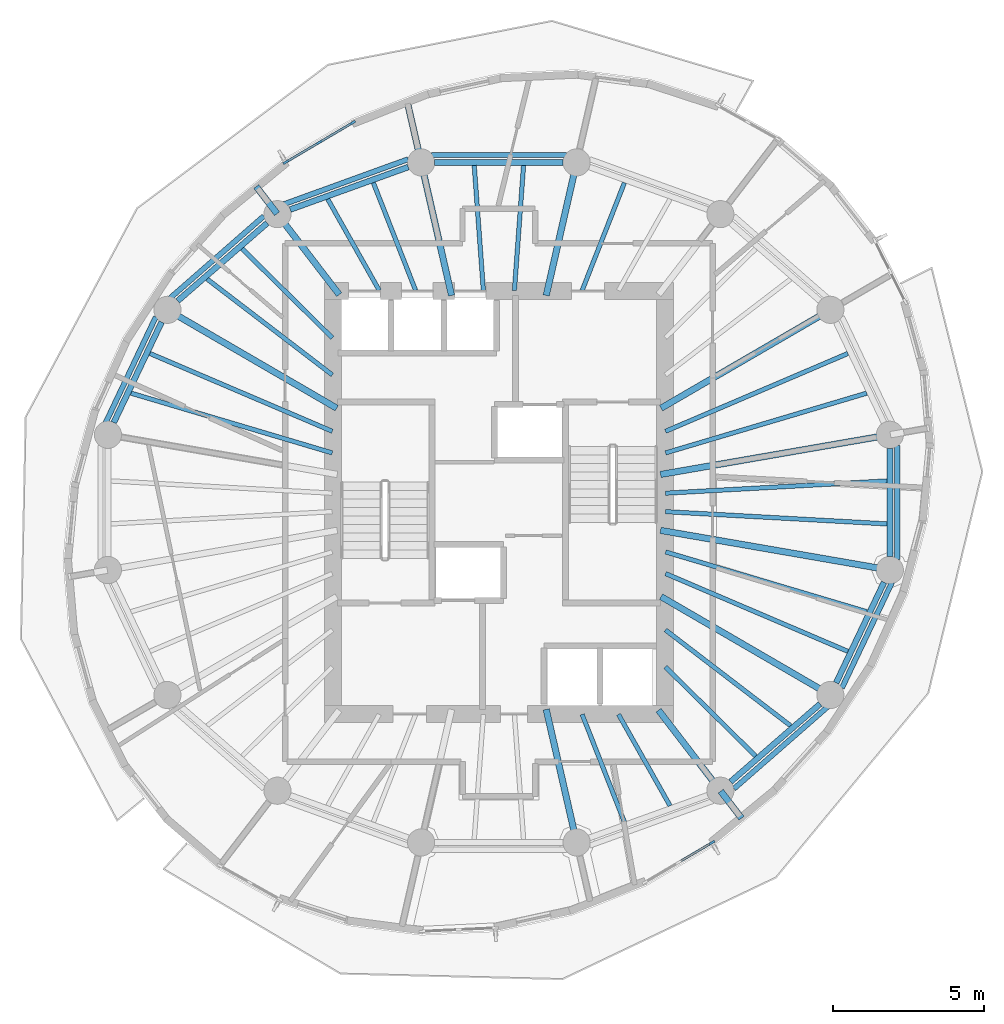
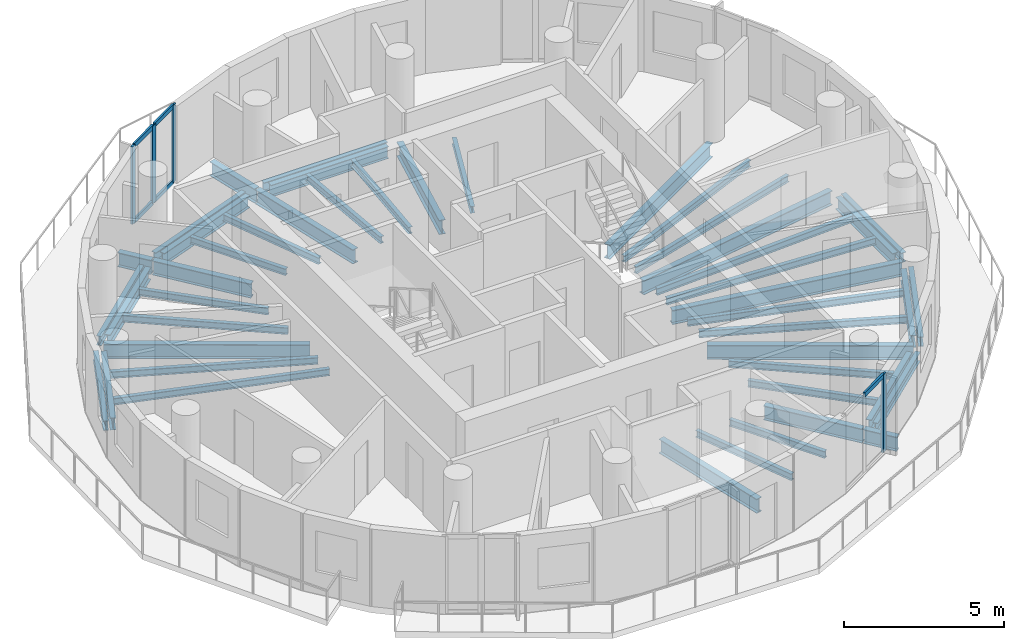
# One storey, part 2 of 10: 46 beams, 9 members, 2 elements without a shape of their own.
"""IFC4 building model written with IfcOpenShell, lengths in metres."""

import ifcopenshell
import ifcopenshell.guid

model = None  # the IFC model being written
_history = None  # IfcOwnerHistory: only IFC2X3 demands one
_inside = {}  # id of a spatial element -> (the spatial element, [elements in it])
_under = {}  # id of a project, library or spatial element -> (it, [spatial elements below it])
_declared = {}  # id of a project -> (the project, [libraries it declares])
_typed = {}  # id of a type object -> (the type object, [elements of that type])
_made_of = {}  # id of a material, layer set ... -> (it, [elements and type objects made of it])


def new_model(schema):
    """Start an empty IFC model of exactly this schema.

    Asked for "IFC4X3", IfcOpenShell would pick the latest addendum, in which some entities
    have other attributes; the version numbers below select the first issue.
    IFC2X3 requires an IfcOwnerHistory on every rooted entity: one is made here for all.
    """
    global model, _history
    if schema == "IFC4X3":
        model = ifcopenshell.file(schema_version=(4, 3, 0, 0))
    else:
        model = ifcopenshell.file(schema=schema)
    _inside.clear()
    _under.clear()
    _declared.clear()
    _typed.clear()
    _made_of.clear()
    _history = None
    if model.schema == "IFC2X3":
        org = make("IfcOrganization", Name="unknown")
        user = make(
            "IfcPersonAndOrganization",
            ThePerson=make("IfcPerson", FamilyName="unknown"),
            TheOrganization=org,
        )
        app = make(
            "IfcApplication",
            ApplicationDeveloper=org,
            Version="unknown",
            ApplicationFullName="unknown",
            ApplicationIdentifier="unknown",
        )
        _history = make(
            "IfcOwnerHistory",
            OwningUser=user,
            OwningApplication=app,
            ChangeAction="ADDED",
            CreationDate=0,
        )
    return model


def make(cls, **values):
    """One entity of the class cls with the attributes given. An attribute that is None is left unset."""
    return model.create_entity(
        cls, **{name: value for name, value in values.items() if value is not None}
    )


def rooted(cls, **values):
    """An entity with a GlobalId (a new one), such as an element, a storey or a relation."""
    return make(cls, GlobalId=ifcopenshell.guid.new(), OwnerHistory=_history, **values)


def si_unit(unit_type, name, prefix=None):
    """IfcSIUnit, for example si_unit("LENGTHUNIT", "METRE", prefix="MILLI")."""
    return make("IfcSIUnit", UnitType=unit_type, Prefix=prefix, Name=name)


def assignment(units):
    """IfcUnitAssignment: the units of a project."""
    return None if units is None else make("IfcUnitAssignment", Units=units)


def point(xyz):
    """IfcCartesianPoint."""
    return None if xyz is None else make("IfcCartesianPoint", Coordinates=xyz)


def direction(xyz):
    """IfcDirection."""
    return None if xyz is None else make("IfcDirection", DirectionRatios=xyz)


def frame(location, z_axis=None, x_axis=None):
    """IfcAxis2Placement3D, a coordinate frame: its origin and axes. An axis left out is left unset."""
    return make(
        "IfcAxis2Placement3D",
        Location=point(location),
        Axis=direction(z_axis),
        RefDirection=direction(x_axis),
    )


def frame_2d(location, x_axis=None):
    """IfcAxis2Placement2D, a coordinate frame in the plane: its origin and x axis."""
    return make(
        "IfcAxis2Placement2D", Location=point(location), RefDirection=direction(x_axis)
    )


def origin():
    """The frame at (0, 0, 0) with its axes left unset."""
    return frame((0.0, 0.0, 0.0))


def origin_2d():
    """The frame at (0, 0) in the plane with its x axis left unset."""
    return frame_2d((0.0, 0.0))


def place(relative_to, where):
    """IfcLocalPlacement: puts the frame where relative to a parent placement (None: the world)."""
    return make(
        "IfcLocalPlacement", PlacementRelTo=relative_to, RelativePlacement=where
    )


def context(
    kind, dimensions, precision=None, world=None, true_north=None, identifier=None
):
    """IfcGeometricRepresentationContext, for example the 3D "Model" context."""
    return make(
        "IfcGeometricRepresentationContext",
        ContextIdentifier=identifier,
        ContextType=kind,
        CoordinateSpaceDimension=dimensions,
        Precision=precision,
        WorldCoordinateSystem=world,
        TrueNorth=true_north,
    )


def subcontext(parent, identifier, kind, view, scale=None):
    """IfcGeometricRepresentationSubContext, for example "Body" below "Model"."""
    return make(
        "IfcGeometricRepresentationSubContext",
        ContextIdentifier=identifier,
        ContextType=kind,
        ParentContext=parent,
        TargetScale=scale,
        TargetView=view,
    )


def project(units=None, contexts=None):
    """IfcProject with its units and contexts."""
    return rooted(
        "IfcProject",
        Name="project",
        RepresentationContexts=contexts,
        UnitsInContext=assignment(units),
    )


def spatial(cls, under=None, at=None, **own):
    """A site, building, storey or space (cls), placed at a placement, below another one or the project."""
    s = rooted(cls, ObjectPlacement=at, **own)
    if under is not None:
        _under.setdefault(under.id(), (under, []))[1].append(s)
    return s


def profile(cls, at=None, kind="AREA", **sizes):
    """A parametric profile (cls). Its sizes go by their IFC names, for example OverallWidth=200.0."""
    return make(cls, ProfileType=kind, Position=at, **sizes)


def rectangle(**sizes):
    """IfcRectangleProfileDef."""
    return profile("IfcRectangleProfileDef", **sizes)


def i_section(**sizes):
    """IfcIShapeProfileDef."""
    return profile("IfcIShapeProfileDef", **sizes)


def extrude(swept, where, along, depth):
    """IfcExtrudedAreaSolid: the profile swept, set in the frame where, extruded along a direction by depth."""
    return make(
        "IfcExtrudedAreaSolid",
        SweptArea=swept,
        Position=where,
        ExtrudedDirection=direction(along),
        Depth=depth,
    )


def shape(context_of_items, identifier, shape_type, items):
    """IfcShapeRepresentation: the items that make up one representation, for example the "Body"."""
    return make(
        "IfcShapeRepresentation",
        ContextOfItems=context_of_items,
        RepresentationIdentifier=identifier,
        RepresentationType=shape_type,
        Items=items,
    )


def material(Name=None, Category=None):
    """IfcMaterial."""
    return make("IfcMaterial", Name=Name, Category=Category)


def material_profile(
    of_material, cross_section, Name=None, Category=None, Priority=None
):
    """IfcMaterialProfile: a cross section and its material."""
    return make(
        "IfcMaterialProfile",
        Name=Name,
        Material=of_material,
        Profile=cross_section,
        Priority=Priority,
        Category=Category,
    )


def profile_set(profiles, Name=None, composite=None):
    """IfcMaterialProfileSet."""
    return make(
        "IfcMaterialProfileSet",
        Name=Name,
        MaterialProfiles=profiles,
        CompositeProfile=composite,
    )


def made_of(thing, what):
    """Note that an element or type object is made of a material, layer set ...; save() writes the relation."""
    if what is not None:
        _made_of.setdefault(what.id(), (what, []))[1].append(thing)
    return thing


def type_object(cls, material=None, **own):
    """A type object (cls), such as IfcWallType, which elements share."""
    return made_of(rooted(cls, **own), material)


def element(
    cls,
    number,
    at=None,
    inside=None,
    cuts=None,
    type_object=None,
    material=None,
    context=None,
    identifier="Body",
    shape_type=None,
    held_by="IfcProductDefinitionShape",
    body=None,
    shapes=None,
    **own,
):
    """One element of the class cls, such as IfcWall. Its Tag is "e" and its number.

    at: its placement. inside: the storey or other place that contains it. cuts: it is an
    opening in that element (IfcRelVoidsElement). A single representation is given by context,
    identifier, shape_type and body (its items); several are given by shapes. held_by: the class
    of the entity that holds the representations. save() writes the other relations.
    """
    e = rooted(cls, Tag="e%d" % number, ObjectPlacement=at, **own)
    if body is not None:
        shapes = [shape(context, identifier, shape_type, body)]
    if shapes is not None:
        e.Representation = make(held_by, Representations=shapes)
    if inside is not None:
        _inside.setdefault(inside.id(), (inside, []))[1].append(e)
    if cuts is not None:
        rooted(
            "IfcRelVoidsElement", RelatingBuildingElement=cuts, RelatedOpeningElement=e
        )
    if type_object is not None:
        _typed.setdefault(type_object.id(), (type_object, []))[1].append(e)
    return made_of(e, material)


def aggregate(whole, parts):
    """IfcRelAggregates: a whole, such as a stair, and the parts it consists of."""
    return rooted("IfcRelAggregates", RelatingObject=whole, RelatedObjects=parts)


def save(model, path):
    """Write the relations noted so far, then the file.

    IfcRelAggregates (storeys below a building ...), IfcRelContainedInSpatialStructure (elements
    in a storey), IfcRelDefinesByType, IfcRelAssociatesMaterial and IfcRelDeclares: one each for
    every whole, place, type object, material and project.
    """
    for whole, parts in _under.values():
        aggregate(whole, parts)
    for where, things in _inside.values():
        rooted(
            "IfcRelContainedInSpatialStructure",
            RelatedElements=things,
            RelatingStructure=where,
        )
    for kind, things in _typed.values():
        rooted("IfcRelDefinesByType", RelatedObjects=things, RelatingType=kind)
    for what, things in _made_of.values():
        rooted("IfcRelAssociatesMaterial", RelatedObjects=things, RelatingMaterial=what)
    for by, libraries in _declared.values():
        rooted("IfcRelDeclares", RelatingContext=by, RelatedDefinitions=libraries)
    model.write(path)


model = new_model("IFC4")

# Units and contexts
model_context = context("Model", 3, precision=1e-05, world=origin(), true_north=direction((0.0, 1.0)))
body_context = subcontext(model_context, "Body", "Model", "MODEL_VIEW")
ifc_project = project(units=[si_unit("LENGTHUNIT", "METRE"), si_unit("AREAUNIT", "SQUARE_METRE"), si_unit("VOLUMEUNIT", "CUBIC_METRE"), si_unit("PLANEANGLEUNIT", "RADIAN"), si_unit("MASSUNIT", "GRAM", prefix="KILO")], contexts=[model_context])

# Site, building, storey
site_placement = place(None, origin())
site = spatial("IfcSite", under=ifc_project, at=site_placement, CompositionType="ELEMENT")
building_placement = place(site_placement, origin())
building = spatial("IfcBuilding", under=site, at=building_placement, Name="Veldorim Arch Residences", CompositionType="ELEMENT")
storey_placement = place(building_placement, frame((0.0, 0.0, 179.0400390625)))
storey = spatial("IfcBuildingStorey", under=building, at=storey_placement, Name="L53", CompositionType="ELEMENT", Elevation=179.0400390625)

# Beams
ifc_material_1 = material(Name="Steel S355", Category="steel")
ifc_material_profile_1 = material_profile(ifc_material_1, i_section(OverallWidth=0.2119140625, OverallDepth=0.54443359375, WebThickness=0.0126953125, FlangeThickness=0.021240234375, at=origin_2d()), Name="UB533x210x122")
ifc_profile_set_1 = profile_set([ifc_material_profile_1], Name="Steel S355")
beam_type_1 = type_object("IfcBeamType", Name="Structural Steel Beam UB533x210x122", PredefinedType="BEAM", material=ifc_profile_set_1)
beam_1_placement = place(storey_placement, frame((37.352294921875, 24.92578125, -0.512451171875), z_axis=(0.985364974081, 0.170457818401, 0.0), x_axis=(-0.170457818401, 0.985364974081, 0.0)))
element("IfcBeam", 1, at=beam_1_placement, inside=storey, type_object=beam_type_1, Name="L53 radial floor girder 01", PredefinedType="BEAM", context=body_context, shape_type="SweptSolid", body=[
    extrude(i_section(OverallWidth=0.2119140625, OverallDepth=0.54443359375, WebThickness=0.0126953125, FlangeThickness=0.021240234375, at=origin_2d()), origin(), (0.0, 0.0, 1.0), 7.68701171875),
])
beam_2_placement = place(storey_placement, frame((37.370361328125, 27.12060546875, -0.512451171875), z_axis=(0.864595736304, 0.502468121142, 0.0), x_axis=(-0.502468121142, 0.864595736304, 0.0)))
element("IfcBeam", 2, at=beam_2_placement, inside=storey, type_object=beam_type_1, Name="L53 radial floor girder 02", PredefinedType="BEAM", context=body_context, shape_type="SweptSolid", body=[
    extrude(i_section(OverallWidth=0.2119140625, OverallDepth=0.54443359375, WebThickness=0.0126953125, FlangeThickness=0.021240234375, at=origin_2d()), origin(), (0.0, 0.0, 1.0), 6.462646484375),
])
for number, where, z_axis, x_axis, name in (
    (3, (33.567626953125, 30.853759765625, -0.512451171875), (0.222952976993, 0.97482920045, 0.0), (-0.97482920045, 0.222952976993, 0.0), "L53 radial floor girder 04"),
    (4, (30.432373046875, 30.853759765625, -0.512451171875), (-0.222952976993, 0.97482920045, 0.0), (-0.97482920045, -0.222952976993, 0.0), "L53 radial floor girder 05"),
):
    element("IfcBeam", number, at=place(storey_placement, frame(where, z_axis=z_axis, x_axis=x_axis)), inside=storey, type_object=beam_type_1, Name=name, PredefinedType="BEAM", context=body_context, shape_type="SweptSolid", body=[
        extrude(i_section(OverallWidth=0.2119140625, OverallDepth=0.54443359375, WebThickness=0.0126953125, FlangeThickness=0.021240234375, at=origin_2d()), origin(), (0.0, 0.0, 1.0), 4.49951171875),
    ])
beam_3_placement = place(storey_placement, frame((29.42041015625, 35.27880859375, -0.512451171875), z_axis=(-0.222995587315, 0.974819454073, 0.0), x_axis=(-0.974819454073, -0.222995587315, 0.0)))
element("IfcBeam", 5, at=beam_3_placement, inside=storey, type_object=beam_type_1, Name="L53 radial edge cantilever girder 05", PredefinedType="BEAM", context=body_context, shape_type="SweptSolid", body=[
    extrude(i_section(OverallWidth=0.2119140625, OverallDepth=0.54443359375, WebThickness=0.0126953125, FlangeThickness=0.021240234375, at=origin_2d()), origin(), (0.0, 0.0, 1.0), 2.05712890625),
])
beam_4_placement = place(storey_placement, frame((26.71337890625, 30.881103515625, -0.512451171875), z_axis=(-0.609258442308, 0.792971721108, 0.0), x_axis=(-0.792971721108, -0.609258442308, 0.0)))
element("IfcBeam", 6, at=beam_4_placement, inside=storey, type_object=beam_type_1, Name="L53 radial floor girder 06", PredefinedType="BEAM", context=body_context, shape_type="SweptSolid", body=[
    extrude(i_section(OverallWidth=0.2119140625, OverallDepth=0.54443359375, WebThickness=0.0126953125, FlangeThickness=0.021240234375, at=origin_2d()), origin(), (0.0, 0.0, 1.0), 3.339599609375),
])
beam_5_placement = place(storey_placement, frame((24.654296875, 33.561279296875, -0.512451171875), z_axis=(-0.609251583835, 0.792976990583, 0.0), x_axis=(-0.792976990583, -0.609251583835, 0.0)))
element("IfcBeam", 7, at=beam_5_placement, inside=storey, type_object=beam_type_1, Name="L53 radial edge cantilever girder 06", PredefinedType="BEAM", context=body_context, shape_type="SweptSolid", body=[
    extrude(i_section(OverallWidth=0.2119140625, OverallDepth=0.54443359375, WebThickness=0.0126953125, FlangeThickness=0.021240234375, at=origin_2d()), origin(), (0.0, 0.0, 1.0), 1.130859375),
])
beam_6_placement = place(storey_placement, frame((26.629638671875, 27.12060546875, -0.512451171875), z_axis=(-0.864595736304, 0.502468121142, 0.0), x_axis=(-0.502468121142, -0.864595736304, 0.0)))
element("IfcBeam", 8, at=beam_6_placement, inside=storey, type_object=beam_type_1, Name="L53 radial floor girder 07", PredefinedType="BEAM", context=body_context, shape_type="SweptSolid", body=[
    extrude(i_section(OverallWidth=0.2119140625, OverallDepth=0.54443359375, WebThickness=0.0126953125, FlangeThickness=0.021240234375, at=origin_2d()), origin(), (0.0, 0.0, 1.0), 6.462646484375),
])
beam_7_placement = place(storey_placement, frame((33.567626953125, 17.146240234375, -0.512451171875), z_axis=(0.222952976993, -0.97482920045, 0.0), x_axis=(0.97482920045, 0.222952976993, 0.0)))
element("IfcBeam", 9, at=beam_7_placement, inside=storey, type_object=beam_type_1, Name="L53 radial floor girder 13", PredefinedType="BEAM", context=body_context, shape_type="SweptSolid", body=[
    extrude(i_section(OverallWidth=0.2119140625, OverallDepth=0.54443359375, WebThickness=0.0126953125, FlangeThickness=0.021240234375, at=origin_2d()), origin(), (0.0, 0.0, 1.0), 4.49951171875),
])
beam_8_placement = place(storey_placement, frame((37.28662109375, 17.118896484375, -0.512451171875), z_axis=(0.609258442308, -0.792971721108, 0.0), x_axis=(0.792971721108, 0.609258442308, 0.0)))
element("IfcBeam", 10, at=beam_8_placement, inside=storey, type_object=beam_type_1, Name="L53 radial floor girder 14", PredefinedType="BEAM", context=body_context, shape_type="SweptSolid", body=[
    extrude(i_section(OverallWidth=0.2119140625, OverallDepth=0.54443359375, WebThickness=0.0126953125, FlangeThickness=0.021240234375, at=origin_2d()), origin(), (0.0, 0.0, 1.0), 3.339599609375),
])
beam_9_placement = place(storey_placement, frame((39.345703125, 14.438720703125, -0.512451171875), z_axis=(0.609251583835, -0.792976990583, 0.0), x_axis=(0.792976990583, 0.609251583835, 0.0)))
element("IfcBeam", 11, at=beam_9_placement, inside=storey, type_object=beam_type_1, Name="L53 radial edge cantilever girder 14", PredefinedType="BEAM", context=body_context, shape_type="SweptSolid", body=[
    extrude(i_section(OverallWidth=0.2119140625, OverallDepth=0.54443359375, WebThickness=0.0126953125, FlangeThickness=0.021240234375, at=origin_2d()), origin(), (0.0, 0.0, 1.0), 1.130859375),
])
beam_10_placement = place(storey_placement, frame((37.370361328125, 20.87939453125, -0.512451171875), z_axis=(0.864595736304, -0.502468121142, 0.0), x_axis=(0.502468121142, 0.864595736304, 0.0)))
element("IfcBeam", 12, at=beam_10_placement, inside=storey, type_object=beam_type_1, Name="L53 radial floor girder 15", PredefinedType="BEAM", context=body_context, shape_type="SweptSolid", body=[
    extrude(i_section(OverallWidth=0.2119140625, OverallDepth=0.54443359375, WebThickness=0.0126953125, FlangeThickness=0.021240234375, at=origin_2d()), origin(), (0.0, 0.0, 1.0), 6.462646484375),
])
beam_11_placement = place(storey_placement, frame((37.352294921875, 23.07421875, -0.512451171875), z_axis=(0.985364974081, -0.170457818401, 0.0), x_axis=(0.170457818401, 0.985364974081, 0.0)))
element("IfcBeam", 13, at=beam_11_placement, inside=storey, type_object=beam_type_1, Name="L53 radial floor girder 16", PredefinedType="BEAM", context=body_context, shape_type="SweptSolid", body=[
    extrude(i_section(OverallWidth=0.2119140625, OverallDepth=0.54443359375, WebThickness=0.0126953125, FlangeThickness=0.021240234375, at=origin_2d()), origin(), (0.0, 0.0, 1.0), 7.68701171875),
])
ifc_material_2 = material(Name="Steel S355", Category="steel")
ifc_material_profile_2 = material_profile(ifc_material_2, i_section(OverallWidth=0.146484375, OverallDepth=0.256103515625, WebThickness=0.00634765625, FlangeThickness=0.010986328125, at=origin_2d()), Name="UB254x146x37")
ifc_profile_set_2 = profile_set([ifc_material_profile_2], Name="Steel S355")
beam_type_2 = type_object("IfcBeamType", Name="Structural Steel Joist UB254x146x37", PredefinedType="JOIST", material=ifc_profile_set_2)
beam_12_placement = place(storey_placement, frame((37.519287109375, 25.639404296875, -0.367919921875), z_axis=(0.958594432792, 0.284774846889, 0.0), x_axis=(-0.284774846889, 0.958594432792, 0.0)))
element("IfcBeam", 14, at=beam_12_placement, inside=storey, type_object=beam_type_2, Name="L53 secondary radial floor joist 01-1", PredefinedType="JOIST", context=body_context, shape_type="SweptSolid", body=[
    extrude(i_section(OverallWidth=0.146484375, OverallDepth=0.256103515625, WebThickness=0.00634765625, FlangeThickness=0.010986328125, at=origin_2d()), origin(), (0.0, 0.0, 1.0), 6.949462890625),
])
beam_13_placement = place(storey_placement, frame((37.518310546875, 26.355712890625, -0.367919921875), z_axis=(0.919725161652, 0.392562895629, 0.0), x_axis=(-0.392562895629, 0.919725161652, 0.0)))
element("IfcBeam", 15, at=beam_13_placement, inside=storey, type_object=beam_type_2, Name="L53 secondary radial floor joist 01-2", PredefinedType="JOIST", context=body_context, shape_type="SweptSolid", body=[
    extrude(i_section(OverallWidth=0.146484375, OverallDepth=0.256103515625, WebThickness=0.00634765625, FlangeThickness=0.010986328125, at=origin_2d()), origin(), (0.0, 0.0, 1.0), 6.5625),
])
beam_14_placement = place(storey_placement, frame((34.75634765625, 31.0185546875, -0.367919921875), z_axis=(0.365581383042, 0.930779379001, 0.0), x_axis=(-0.930779379001, 0.365581383042, 0.0)))
element("IfcBeam", 16, at=beam_14_placement, inside=storey, type_object=beam_type_2, Name="L53 secondary radial floor joist 03-2", PredefinedType="JOIST", context=body_context, shape_type="SweptSolid", body=[
    extrude(i_section(OverallWidth=0.146484375, OverallDepth=0.256103515625, WebThickness=0.00634765625, FlangeThickness=0.010986328125, at=origin_2d()), origin(), (0.0, 0.0, 1.0), 3.83056640625),
])
for number, where, z_axis, x_axis, name in (
    (17, (32.513916015625, 31.02001953125, -0.367919921875), (0.072985625899, 0.997332992742, 0.0), (-0.997332992742, 0.072985625899, 0.0), "L53 secondary radial floor joist 04-1"),
    (18, (31.486083984375, 31.02001953125, -0.367919921875), (-0.072985625899, 0.997332992742, 0.0), (-0.997332992742, -0.072985625899, 0.0), "L53 secondary radial floor joist 04-2"),
):
    element("IfcBeam", number, at=place(storey_placement, frame(where, z_axis=z_axis, x_axis=x_axis)), inside=storey, type_object=beam_type_2, Name=name, PredefinedType="JOIST", context=body_context, shape_type="SweptSolid", body=[
        extrude(i_section(OverallWidth=0.146484375, OverallDepth=0.256103515625, WebThickness=0.00634765625, FlangeThickness=0.010986328125, at=origin_2d()), origin(), (0.0, 0.0, 1.0), 4.151123046875),
    ])
beam_15_placement = place(storey_placement, frame((29.24365234375, 31.0185546875, -0.367919921875), z_axis=(-0.365581383042, 0.930779379001, 0.0), x_axis=(-0.930779379001, -0.365581383042, 0.0)))
element("IfcBeam", 19, at=beam_15_placement, inside=storey, type_object=beam_type_2, Name="L53 secondary radial floor joist 05-1", PredefinedType="JOIST", context=body_context, shape_type="SweptSolid", body=[
    extrude(i_section(OverallWidth=0.146484375, OverallDepth=0.256103515625, WebThickness=0.00634765625, FlangeThickness=0.010986328125, at=origin_2d()), origin(), (0.0, 0.0, 1.0), 3.83056640625),
])
beam_16_placement = place(storey_placement, frame((28.039794921875, 31.017333984375, -0.367919921875), z_axis=(-0.491452469585, 0.870904397818, 0.0), x_axis=(-0.870904397818, -0.491452469585, 0.0)))
element("IfcBeam", 20, at=beam_16_placement, inside=storey, type_object=beam_type_2, Name="L53 secondary radial floor joist 05-2", PredefinedType="JOIST", context=body_context, shape_type="SweptSolid", body=[
    extrude(i_section(OverallWidth=0.146484375, OverallDepth=0.256103515625, WebThickness=0.00634765625, FlangeThickness=0.010986328125, at=origin_2d()), origin(), (0.0, 0.0, 1.0), 3.472412109375),
])
beam_17_placement = place(storey_placement, frame((26.48583984375, 29.44775390625, -0.367919921875), z_axis=(-0.711396725432, 0.702790650937, 0.0), x_axis=(-0.702790650937, -0.711396725432, 0.0)))
element("IfcBeam", 21, at=beam_17_placement, inside=storey, type_object=beam_type_2, Name="L53 secondary radial floor joist 06-1", PredefinedType="JOIST", context=body_context, shape_type="SweptSolid", body=[
    extrude(i_section(OverallWidth=0.146484375, OverallDepth=0.256103515625, WebThickness=0.00634765625, FlangeThickness=0.010986328125, at=origin_2d()), origin(), (0.0, 0.0, 1.0), 4.198486328125),
])
beam_18_placement = place(storey_placement, frame((26.484130859375, 28.222900390625, -0.367919921875), z_axis=(-0.794013672216, 0.607899899929, 0.0), x_axis=(-0.607899899929, -0.794013672216, 0.0)))
element("IfcBeam", 22, at=beam_18_placement, inside=storey, type_object=beam_type_2, Name="L53 secondary radial floor joist 06-2", PredefinedType="JOIST", context=body_context, shape_type="SweptSolid", body=[
    extrude(i_section(OverallWidth=0.146484375, OverallDepth=0.256103515625, WebThickness=0.00634765625, FlangeThickness=0.010986328125, at=origin_2d()), origin(), (0.0, 0.0, 1.0), 5.217041015625),
])
beam_19_placement = place(storey_placement, frame((26.481689453125, 26.355712890625, -0.367919921875), z_axis=(-0.919725161652, 0.392562895629, 0.0), x_axis=(-0.392562895629, -0.919725161652, 0.0)))
element("IfcBeam", 23, at=beam_19_placement, inside=storey, type_object=beam_type_2, Name="L53 secondary radial floor joist 07-1", PredefinedType="JOIST", context=body_context, shape_type="SweptSolid", body=[
    extrude(i_section(OverallWidth=0.146484375, OverallDepth=0.256103515625, WebThickness=0.00634765625, FlangeThickness=0.010986328125, at=origin_2d()), origin(), (0.0, 0.0, 1.0), 6.5625),
])
beam_20_placement = place(storey_placement, frame((26.480712890625, 25.639404296875, -0.367919921875), z_axis=(-0.958594432792, 0.284774846889, 0.0), x_axis=(-0.284774846889, -0.958594432792, 0.0)))
element("IfcBeam", 24, at=beam_20_placement, inside=storey, type_object=beam_type_2, Name="L53 secondary radial floor joist 07-2", PredefinedType="JOIST", context=body_context, shape_type="SweptSolid", body=[
    extrude(i_section(OverallWidth=0.146484375, OverallDepth=0.256103515625, WebThickness=0.00634765625, FlangeThickness=0.010986328125, at=origin_2d()), origin(), (0.0, 0.0, 1.0), 6.949462890625),
])
beam_21_placement = place(storey_placement, frame((34.75634765625, 16.9814453125, -0.367919921875), z_axis=(0.365581383042, -0.930779379001, 0.0), x_axis=(0.930779379001, 0.365581383042, 0.0)))
element("IfcBeam", 25, at=beam_21_placement, inside=storey, type_object=beam_type_2, Name="L53 secondary radial floor joist 13-1", PredefinedType="JOIST", context=body_context, shape_type="SweptSolid", body=[
    extrude(i_section(OverallWidth=0.146484375, OverallDepth=0.256103515625, WebThickness=0.00634765625, FlangeThickness=0.010986328125, at=origin_2d()), origin(), (0.0, 0.0, 1.0), 3.83056640625),
])
beam_22_placement = place(storey_placement, frame((35.960205078125, 16.982666015625, -0.367919921875), z_axis=(0.491452469585, -0.870904397818, 0.0), x_axis=(0.870904397818, 0.491452469585, 0.0)))
element("IfcBeam", 26, at=beam_22_placement, inside=storey, type_object=beam_type_2, Name="L53 secondary radial floor joist 13-2", PredefinedType="JOIST", context=body_context, shape_type="SweptSolid", body=[
    extrude(i_section(OverallWidth=0.146484375, OverallDepth=0.256103515625, WebThickness=0.00634765625, FlangeThickness=0.010986328125, at=origin_2d()), origin(), (0.0, 0.0, 1.0), 3.472412109375),
])
beam_23_placement = place(storey_placement, frame((37.51416015625, 18.55224609375, -0.367919921875), z_axis=(0.711396725432, -0.702790650937, 0.0), x_axis=(0.702790650937, 0.711396725432, 0.0)))
element("IfcBeam", 27, at=beam_23_placement, inside=storey, type_object=beam_type_2, Name="L53 secondary radial floor joist 14-1", PredefinedType="JOIST", context=body_context, shape_type="SweptSolid", body=[
    extrude(i_section(OverallWidth=0.146484375, OverallDepth=0.256103515625, WebThickness=0.00634765625, FlangeThickness=0.010986328125, at=origin_2d()), origin(), (0.0, 0.0, 1.0), 4.198486328125),
])
beam_24_placement = place(storey_placement, frame((37.515869140625, 19.777099609375, -0.367919921875), z_axis=(0.794013672216, -0.607899899929, 0.0), x_axis=(0.607899899929, 0.794013672216, 0.0)))
element("IfcBeam", 28, at=beam_24_placement, inside=storey, type_object=beam_type_2, Name="L53 secondary radial floor joist 14-2", PredefinedType="JOIST", context=body_context, shape_type="SweptSolid", body=[
    extrude(i_section(OverallWidth=0.146484375, OverallDepth=0.256103515625, WebThickness=0.00634765625, FlangeThickness=0.010986328125, at=origin_2d()), origin(), (0.0, 0.0, 1.0), 5.217041015625),
])
beam_25_placement = place(storey_placement, frame((37.518310546875, 21.644287109375, -0.367919921875), z_axis=(0.919725161652, -0.392562895629, 0.0), x_axis=(0.392562895629, 0.919725161652, 0.0)))
element("IfcBeam", 29, at=beam_25_placement, inside=storey, type_object=beam_type_2, Name="L53 secondary radial floor joist 15-1", PredefinedType="JOIST", context=body_context, shape_type="SweptSolid", body=[
    extrude(i_section(OverallWidth=0.146484375, OverallDepth=0.256103515625, WebThickness=0.00634765625, FlangeThickness=0.010986328125, at=origin_2d()), origin(), (0.0, 0.0, 1.0), 6.5625),
])
beam_26_placement = place(storey_placement, frame((37.519287109375, 22.360595703125, -0.367919921875), z_axis=(0.958594432792, -0.284774846889, 0.0), x_axis=(0.284774846889, 0.958594432792, 0.0)))
element("IfcBeam", 30, at=beam_26_placement, inside=storey, type_object=beam_type_2, Name="L53 secondary radial floor joist 15-2", PredefinedType="JOIST", context=body_context, shape_type="SweptSolid", body=[
    extrude(i_section(OverallWidth=0.146484375, OverallDepth=0.256103515625, WebThickness=0.00634765625, FlangeThickness=0.010986328125, at=origin_2d()), origin(), (0.0, 0.0, 1.0), 6.949462890625),
])
for number, where, z_axis, x_axis, name in (
    (31, (37.52001953125, 23.6943359375, -0.367919921875), (0.998472000884, -0.055259962464, 0.0), (0.055259962464, 0.998472000884, 0.0), "L53 secondary radial floor joist 16-1"),
    (32, (37.52001953125, 24.3056640625, -0.367919921875), (0.998472000884, 0.055259962464, 0.0), (-0.055259962464, 0.998472000884, 0.0), "L53 secondary radial floor joist 16-2"),
):
    element("IfcBeam", number, at=place(storey_placement, frame(where, z_axis=z_axis, x_axis=x_axis)), inside=storey, type_object=beam_type_2, Name=name, PredefinedType="JOIST", context=body_context, shape_type="SweptSolid", body=[
        extrude(i_section(OverallWidth=0.146484375, OverallDepth=0.256103515625, WebThickness=0.00634765625, FlangeThickness=0.010986328125, at=origin_2d()), origin(), (0.0, 0.0, 1.0), 7.33837890625),
    ])
ifc_material_3 = material(Name="Steel S355", Category="steel")
ifc_material_profile_3 = material_profile(ifc_material_3, i_section(OverallWidth=0.172119140625, OverallDepth=0.35791015625, WebThickness=0.008056640625, FlangeThickness=0.012939453125, at=origin_2d()), Name="UB356x171x57")
ifc_profile_set_3 = profile_set([ifc_material_profile_3], Name="Steel S355")
beam_type_3 = type_object("IfcBeamType", Name="Structural Steel Spandrel UB356x171x57", PredefinedType="SPANDREL", material=ifc_profile_set_3)
beam_27_placement = place(storey_placement, frame((34.234375, 35.500732421875, -0.43896484375), z_axis=(-1.0, 0.0, 0.0), x_axis=(0.0, -1.0, 0.0)))
element("IfcBeam", 33, at=beam_27_placement, inside=storey, type_object=beam_type_3, Name="L53 perimeter chord spandrel beam 04", PredefinedType="SPANDREL", context=body_context, shape_type="SweptSolid", body=[
    extrude(i_section(OverallWidth=0.172119140625, OverallDepth=0.35791015625, WebThickness=0.008056640625, FlangeThickness=0.012939453125, at=origin_2d()), origin(), (0.0, 0.0, 1.0), 4.46875),
])
beam_28_placement = place(storey_placement, frame((28.997314453125, 35.36572265625, -0.43896484375), z_axis=(-0.940164695555, -0.340720332871, 0.0), x_axis=(0.340720332871, -0.940164695555, 0.0)))
element("IfcBeam", 34, at=beam_28_placement, inside=storey, type_object=beam_type_3, Name="L53 perimeter chord spandrel beam 05", PredefinedType="SPANDREL", context=body_context, shape_type="SweptSolid", body=[
    extrude(i_section(OverallWidth=0.172119140625, OverallDepth=0.35791015625, WebThickness=0.008056640625, FlangeThickness=0.012939453125, at=origin_2d()), origin(), (0.0, 0.0, 1.0), 4.370849609375),
])
beam_29_placement = place(storey_placement, frame((24.217529296875, 33.48095703125, -0.43896484375), z_axis=(-0.752847646119, -0.6581948205, 0.0), x_axis=(0.6581948205, -0.752847646119, 0.0)))
element("IfcBeam", 35, at=beam_29_placement, inside=storey, type_object=beam_type_3, Name="L53 perimeter chord spandrel beam 06", PredefinedType="SPANDREL", context=body_context, shape_type="SweptSolid", body=[
    extrude(i_section(OverallWidth=0.172119140625, OverallDepth=0.35791015625, WebThickness=0.008056640625, FlangeThickness=0.012939453125, at=origin_2d()), origin(), (0.0, 0.0, 1.0), 4.12939453125),
])
beam_30_placement = place(storey_placement, frame((20.64111328125, 30.144287109375, -0.43896484375), z_axis=(-0.428408308939, -0.903585259304, 0.0), x_axis=(0.903585259304, -0.428408308939, 0.0)))
element("IfcBeam", 36, at=beam_30_placement, inside=storey, type_object=beam_type_3, Name="L53 perimeter chord spandrel beam 07", PredefinedType="SPANDREL", context=body_context, shape_type="SweptSolid", body=[
    extrude(i_section(OverallWidth=0.172119140625, OverallDepth=0.35791015625, WebThickness=0.008056640625, FlangeThickness=0.012939453125, at=origin_2d()), origin(), (0.0, 0.0, 1.0), 3.878662109375),
])
beam_31_placement = place(storey_placement, frame((39.782470703125, 14.51904296875, -0.43896484375), z_axis=(0.752847646119, 0.6581948205, 0.0), x_axis=(-0.6581948205, 0.752847646119, 0.0)))
element("IfcBeam", 37, at=beam_31_placement, inside=storey, type_object=beam_type_3, Name="L53 perimeter chord spandrel beam 14", PredefinedType="SPANDREL", context=body_context, shape_type="SweptSolid", body=[
    extrude(i_section(OverallWidth=0.172119140625, OverallDepth=0.35791015625, WebThickness=0.008056640625, FlangeThickness=0.012939453125, at=origin_2d()), origin(), (0.0, 0.0, 1.0), 4.12939453125),
])
beam_32_placement = place(storey_placement, frame((43.35888671875, 17.855712890625, -0.43896484375), z_axis=(0.428408308939, 0.903585259304, 0.0), x_axis=(-0.903585259304, 0.428408308939, 0.0)))
element("IfcBeam", 38, at=beam_32_placement, inside=storey, type_object=beam_type_3, Name="L53 perimeter chord spandrel beam 15", PredefinedType="SPANDREL", context=body_context, shape_type="SweptSolid", body=[
    extrude(i_section(OverallWidth=0.172119140625, OverallDepth=0.35791015625, WebThickness=0.008056640625, FlangeThickness=0.012939453125, at=origin_2d()), origin(), (0.0, 0.0, 1.0), 3.878662109375),
])
beam_33_placement = place(storey_placement, frame((45.190185546875, 22.1142578125, -0.43896484375), z_axis=(0.0, 1.0, 0.0), x_axis=(-1.0, 0.0, 0.0)))
element("IfcBeam", 39, at=beam_33_placement, inside=storey, type_object=beam_type_3, Name="L53 perimeter chord spandrel beam 16", PredefinedType="SPANDREL", context=body_context, shape_type="SweptSolid", body=[
    extrude(i_section(OverallWidth=0.172119140625, OverallDepth=0.35791015625, WebThickness=0.008056640625, FlangeThickness=0.012939453125, at=origin_2d()), origin(), (0.0, 0.0, 1.0), 3.771484375),
])
ifc_material_4 = material(Name="Steel S355", Category="steel")
ifc_material_profile_4 = material_profile(ifc_material_4, i_section(OverallWidth=0.19140625, OverallDepth=0.4599609375, WebThickness=0.010009765625, FlangeThickness=0.01611328125, at=origin_2d()), Name="UB457x191x82")
ifc_profile_set_4 = profile_set([ifc_material_profile_4], Name="Steel S355")
beam_type_4 = type_object("IfcBeamType", Name="Structural Steel Spandrel UB457x191x82", PredefinedType="SPANDREL", material=ifc_profile_set_4)
beam_34_placement = place(storey_placement, frame((34.125244140625, 35.259521484375, -0.469970703125), z_axis=(-1.0, 0.0, 0.0), x_axis=(0.0, -1.0, 0.0)))
element("IfcBeam", 40, at=beam_34_placement, inside=storey, type_object=beam_type_4, Name="L53 perimeter ring tie beam 04", PredefinedType="SPANDREL", context=body_context, shape_type="SweptSolid", body=[
    extrude(i_section(OverallWidth=0.19140625, OverallDepth=0.4599609375, WebThickness=0.010009765625, FlangeThickness=0.01611328125, at=origin_2d()), origin(), (0.0, 0.0, 1.0), 4.25048828125),
])
beam_35_placement = place(storey_placement, frame((29.00146484375, 35.10693359375, -0.469970703125), z_axis=(-0.940811035395, -0.338931550137, 0.0), x_axis=(0.338931550137, -0.940811035395, 0.0)))
element("IfcBeam", 41, at=beam_35_placement, inside=storey, type_object=beam_type_4, Name="L53 perimeter ring tie beam 05", PredefinedType="SPANDREL", context=body_context, shape_type="SweptSolid", body=[
    extrude(i_section(OverallWidth=0.19140625, OverallDepth=0.4599609375, WebThickness=0.010009765625, FlangeThickness=0.01611328125, at=origin_2d()), origin(), (0.0, 0.0, 1.0), 4.15771484375),
])
beam_36_placement = place(storey_placement, frame((24.326904296875, 33.25, -0.469970703125), z_axis=(-0.754545285701, -0.656247980436, 0.0), x_axis=(0.656247980436, -0.754545285701, 0.0)))
element("IfcBeam", 42, at=beam_36_placement, inside=storey, type_object=beam_type_4, Name="L53 perimeter ring tie beam 06", PredefinedType="SPANDREL", context=body_context, shape_type="SweptSolid", body=[
    extrude(i_section(OverallWidth=0.19140625, OverallDepth=0.4599609375, WebThickness=0.010009765625, FlangeThickness=0.01611328125, at=origin_2d()), origin(), (0.0, 0.0, 1.0), 3.9267578125),
])
beam_37_placement = place(storey_placement, frame((20.8310546875, 29.9716796875, -0.469970703125), z_axis=(-0.430005613988, -0.902826213586, 0.0), x_axis=(0.902826213586, -0.430005613988, 0.0)))
element("IfcBeam", 43, at=beam_37_placement, inside=storey, type_object=beam_type_4, Name="L53 perimeter ring tie beam 07", PredefinedType="SPANDREL", context=body_context, shape_type="SweptSolid", body=[
    extrude(i_section(OverallWidth=0.19140625, OverallDepth=0.4599609375, WebThickness=0.010009765625, FlangeThickness=0.01611328125, at=origin_2d()), origin(), (0.0, 0.0, 1.0), 3.68359375),
])
beam_38_placement = place(storey_placement, frame((39.673095703125, 14.75, -0.469970703125), z_axis=(0.754545285701, 0.656247980436, 0.0), x_axis=(-0.656247980436, 0.754545285701, 0.0)))
element("IfcBeam", 44, at=beam_38_placement, inside=storey, type_object=beam_type_4, Name="L53 perimeter ring tie beam 14", PredefinedType="SPANDREL", context=body_context, shape_type="SweptSolid", body=[
    extrude(i_section(OverallWidth=0.19140625, OverallDepth=0.4599609375, WebThickness=0.010009765625, FlangeThickness=0.01611328125, at=origin_2d()), origin(), (0.0, 0.0, 1.0), 3.9267578125),
])
beam_39_placement = place(storey_placement, frame((43.1689453125, 18.0283203125, -0.469970703125), z_axis=(0.430005613988, 0.902826213586, 0.0), x_axis=(-0.902826213586, 0.430005613988, 0.0)))
element("IfcBeam", 45, at=beam_39_placement, inside=storey, type_object=beam_type_4, Name="L53 perimeter ring tie beam 15", PredefinedType="SPANDREL", context=body_context, shape_type="SweptSolid", body=[
    extrude(i_section(OverallWidth=0.19140625, OverallDepth=0.4599609375, WebThickness=0.010009765625, FlangeThickness=0.01611328125, at=origin_2d()), origin(), (0.0, 0.0, 1.0), 3.68359375),
])
beam_40_placement = place(storey_placement, frame((44.9462890625, 22.21044921875, -0.469970703125), z_axis=(0.0, 1.0, 0.0), x_axis=(-1.0, 0.0, 0.0)))
element("IfcBeam", 46, at=beam_40_placement, inside=storey, type_object=beam_type_4, Name="L53 perimeter ring tie beam 16", PredefinedType="SPANDREL", context=body_context, shape_type="SweptSolid", body=[
    extrude(i_section(OverallWidth=0.19140625, OverallDepth=0.4599609375, WebThickness=0.010009765625, FlangeThickness=0.01611328125, at=origin_2d()), origin(), (0.0, 0.0, 1.0), 3.5791015625),
])

# Curtain wall, members
ifc_material_5 = material(Name="Aluminium", Category="aluminium")
curtain_wall_type = type_object("IfcCurtainWallType", Name="Zone 4 High-Altitude Unitised Curtain Wall", PredefinedType="NOTDEFINED", material=ifc_material_5)
curtain_wall_1_placement = place(storey_placement, origin())
curtain_wall_1 = element("IfcCurtainWall", 47, at=curtain_wall_1_placement, inside=storey, type_object=curtain_wall_type, Name="L53 unitised curtain wall bay 08", PredefinedType="NOTDEFINED")
ifc_material_6 = material(Name="Aluminium", Category="aluminium")
ifc_material_profile_5 = material_profile(ifc_material_6, rectangle(XDim=0.074951171875, YDim=0.195068359375, at=origin_2d()), Name="ALU_MUL_75x195")
ifc_profile_set_5 = profile_set([ifc_material_profile_5], Name="Aluminium")
member_type_1 = type_object("IfcMemberType", Name="Zone 4 High-Altitude Unitised Curtain Wall Mullion 75x195", PredefinedType="MULLION", material=ifc_profile_set_5)
member_1_placement = place(storey_placement, frame((24.942626953125, 35.265625, 0.0), z_axis=(0.0, 0.0, 1.0), x_axis=(-0.508514317139, 0.861053534494, 0.0)))
member_1 = element("IfcMember", 48, at=member_1_placement, type_object=member_type_1, Name="CW-Z4 mullion 1", PredefinedType="MULLION", context=body_context, shape_type="SweptSolid", body=[
    extrude(rectangle(XDim=0.074951171875, YDim=0.195068359375, at=origin_2d()), origin(), (0.0, 0.0, 1.0), 2.9599609375),
])
member_2_placement = place(storey_placement, frame((26.050537109375, 35.919921875, 0.0), z_axis=(0.0, 0.0, 1.0), x_axis=(-0.508514317139, 0.861053534494, 0.0)))
member_2 = element("IfcMember", 49, at=member_2_placement, type_object=member_type_1, Name="CW-Z4 mullion 2", PredefinedType="MULLION", context=body_context, shape_type="SweptSolid", body=[
    extrude(rectangle(XDim=0.074951171875, YDim=0.195068359375, at=origin_2d()), origin(), (0.0, 0.0, 1.0), 2.9599609375),
])
member_3_placement = place(storey_placement, frame((27.158447265625, 36.57421875, 0.0), z_axis=(0.0, 0.0, 1.0), x_axis=(-0.508514317139, 0.861053534494, 0.0)))
member_3 = element("IfcMember", 50, at=member_3_placement, type_object=member_type_1, Name="CW-Z4 mullion 3", PredefinedType="MULLION", context=body_context, shape_type="SweptSolid", body=[
    extrude(rectangle(XDim=0.074951171875, YDim=0.195068359375, at=origin_2d()), origin(), (0.0, 0.0, 1.0), 2.9599609375),
])

# Curtain wall, member
curtain_wall_2_placement = place(storey_placement, origin())
curtain_wall_2 = element("IfcCurtainWall", 51, at=curtain_wall_2_placement, inside=storey, type_object=curtain_wall_type, Name="L53 unitised curtain wall bay 26", PredefinedType="NOTDEFINED")
member_4_placement = place(storey_placement, frame((39.057373046875, 12.734375, 0.0), z_axis=(0.0, 0.0, 1.0), x_axis=(0.508514317139, -0.861053534494, 0.0)))
member_4 = element("IfcMember", 52, at=member_4_placement, type_object=member_type_1, Name="CW-Z4 mullion 1", PredefinedType="MULLION", context=body_context, shape_type="SweptSolid", body=[
    extrude(rectangle(XDim=0.074951171875, YDim=0.195068359375, at=origin_2d()), origin(), (0.0, 0.0, 1.0), 2.9599609375),
])

# Member
ifc_material_7 = material(Name="Aluminium", Category="aluminium")
ifc_material_profile_6 = material_profile(ifc_material_7, rectangle(XDim=0.074951171875, YDim=0.1650390625, at=origin_2d()), Name="ALU_TRN_75x165")
ifc_profile_set_6 = profile_set([ifc_material_profile_6], Name="Aluminium")
member_type_2 = type_object("IfcMemberType", Name="Zone 4 High-Altitude Unitised Curtain Wall Transom 75x165", PredefinedType="USERDEFINED", material=ifc_profile_set_6)
member_5_placement = place(storey_placement, frame((24.974853515625, 35.28466796875, 0.037353515625), z_axis=(0.861062864329, 0.50849851885, 0.0), x_axis=(-0.50849851885, 0.861062864329, 0.0)))
member_5 = element("IfcMember", 53, at=member_5_placement, type_object=member_type_2, Name="CW-Z4 transom 1.1", ObjectType="TRANSOM", PredefinedType="USERDEFINED", context=body_context, shape_type="SweptSolid", body=[
    extrude(rectangle(XDim=0.074951171875, YDim=0.1650390625, at=origin_2d()), origin(), (0.0, 0.0, 1.0), 1.2119140625),
])

member_6_placement = place(storey_placement, frame((24.974853515625, 35.28466796875, 2.92236328125), z_axis=(0.861062864329, 0.50849851885, 0.0), x_axis=(-0.50849851885, 0.861062864329, 0.0)))
member_6 = element("IfcMember", 54, at=member_6_placement, type_object=member_type_2, Name="CW-Z4 transom 1.2", ObjectType="TRANSOM", PredefinedType="USERDEFINED", context=body_context, shape_type="SweptSolid", body=[
    extrude(rectangle(XDim=0.074951171875, YDim=0.1650390625, at=origin_2d()), origin(), (0.0, 0.0, 1.0), 1.2119140625),
])

member_7_placement = place(storey_placement, frame((26.082763671875, 35.93896484375, 0.037353515625), z_axis=(0.861062864329, 0.50849851885, 0.0), x_axis=(-0.50849851885, 0.861062864329, 0.0)))
member_7 = element("IfcMember", 55, at=member_7_placement, type_object=member_type_2, Name="CW-Z4 transom 2.1", ObjectType="TRANSOM", PredefinedType="USERDEFINED", context=body_context, shape_type="SweptSolid", body=[
    extrude(rectangle(XDim=0.074951171875, YDim=0.1650390625, at=origin_2d()), origin(), (0.0, 0.0, 1.0), 1.2119140625),
])

member_8_placement = place(storey_placement, frame((26.082763671875, 35.93896484375, 2.92236328125), z_axis=(0.861062864329, 0.50849851885, 0.0), x_axis=(-0.50849851885, 0.861062864329, 0.0)))
member_8 = element("IfcMember", 56, at=member_8_placement, type_object=member_type_2, Name="CW-Z4 transom 2.2", ObjectType="TRANSOM", PredefinedType="USERDEFINED", context=body_context, shape_type="SweptSolid", body=[
    extrude(rectangle(XDim=0.074951171875, YDim=0.1650390625, at=origin_2d()), origin(), (0.0, 0.0, 1.0), 1.2119140625),
])

aggregate(curtain_wall_1, [member_1, member_2, member_3, member_5, member_6, member_7, member_8])

member_9_placement = place(storey_placement, frame((39.025146484375, 12.71533203125, 2.92236328125), z_axis=(-0.861062864329, -0.50849851885, 0.0), x_axis=(0.50849851885, -0.861062864329, 0.0)))
member_9 = element("IfcMember", 57, at=member_9_placement, type_object=member_type_2, Name="CW-Z4 transom 1.2", ObjectType="TRANSOM", PredefinedType="USERDEFINED", context=body_context, shape_type="SweptSolid", body=[
    extrude(rectangle(XDim=0.074951171875, YDim=0.1650390625, at=origin_2d()), origin(), (0.0, 0.0, 1.0), 1.2119140625),
])

aggregate(curtain_wall_2, [member_4, member_9])

save(model, "model.ifc")
